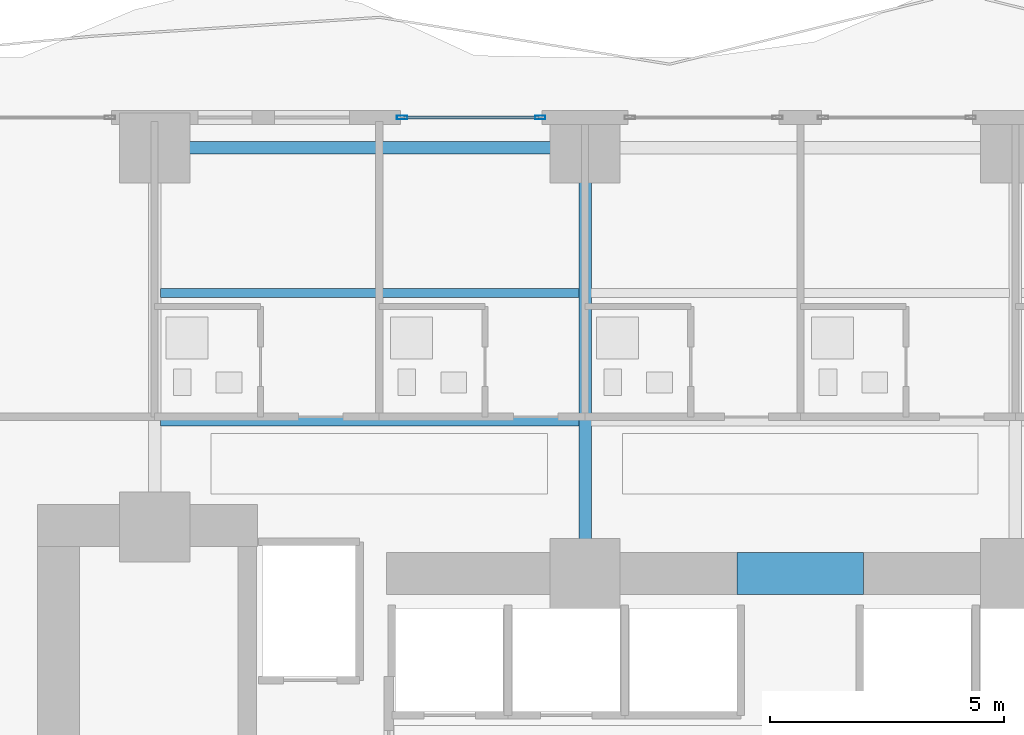
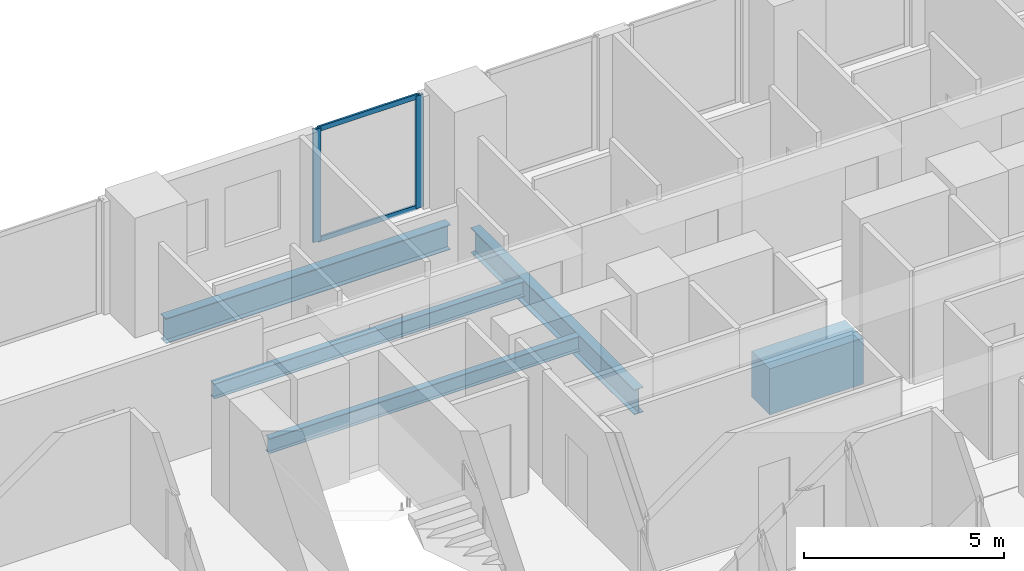
# One storey, part 14 of 29: 5 beams, 4 members, 1 element without a shape of its own.
"""IFC4 building model written with IfcOpenShell, lengths in metres."""

from ifc_helpers import new_model, si_unit, direction, frame, origin, origin_2d, place, context, subcontext, project, spatial, rectangle, hollow_rectangle, i_section, extrude, material, layer, layer_set, material_profile, profile_set, type_object, element, aggregate, save


model = new_model("IFC4")

# Units and contexts
model_context = context("Model", 3, precision=1e-05, world=origin(), true_north=direction((0.0, 1.0)))
body_context = subcontext(model_context, "Body", "Model", "MODEL_VIEW")
ifc_project = project(units=[si_unit("LENGTHUNIT", "METRE"), si_unit("AREAUNIT", "SQUARE_METRE"), si_unit("VOLUMEUNIT", "CUBIC_METRE"), si_unit("PLANEANGLEUNIT", "RADIAN"), si_unit("MASSUNIT", "GRAM", prefix="KILO")], contexts=[model_context])

# Site, building, storey
site_placement = place(None, origin())
site = spatial("IfcSite", under=ifc_project, at=site_placement, CompositionType="ELEMENT")
building_placement = place(site_placement, origin())
building = spatial("IfcBuilding", under=site, at=building_placement, Name="Zuhayl Quay Hotel", CompositionType="ELEMENT")
storey_placement = place(building_placement, frame((0.0, 0.0, 60.449951171875)))
storey = spatial("IfcBuildingStorey", under=building, at=storey_placement, Name="L14", CompositionType="ELEMENT", Elevation=60.449951171875)

# Beams
ifc_material_1 = material(Name="Steel ASTM A992 Grade 50", Category="steel")
ifc_material_profile_1 = material_profile(ifc_material_1, i_section(OverallWidth=0.26708984375, OverallDepth=0.761962890625, WebThickness=0.014404296875, FlangeThickness=0.021484375, at=origin_2d()), Name="W30X116")
ifc_profile_set_1 = profile_set([ifc_material_profile_1], Name="Steel ASTM A992 Grade 50")
beam_type_1 = type_object("IfcBeamType", Name="BM_B1_W30X116", PredefinedType="BEAM", material=ifc_profile_set_1)
beam_1_placement = place(storey_placement, frame((-5.10009765625, 22.449951171875, -0.600830078125), z_axis=(-1.0, 0.0, 0.0), x_axis=(0.0, -1.0, 0.0)))
element("IfcBeam", 1, at=beam_1_placement, inside=storey, type_object=beam_type_1, Name="L14 Floor Beam RG_L14_09", PredefinedType="BEAM", context=body_context, shape_type="SweptSolid", body=[
    extrude(i_section(OverallWidth=0.26708984375, OverallDepth=0.761962890625, WebThickness=0.014404296875, FlangeThickness=0.021484375, at=origin_2d()), origin(), (0.0, 0.0, 1.0), 8.199951171875),
])
beam_2_placement = place(storey_placement, frame((-4.60009765625, 13.800048828125, -0.600830078125), z_axis=(0.0, 1.0, 0.0), x_axis=(-1.0, 0.0, 0.0)))
element("IfcBeam", 2, at=beam_2_placement, inside=storey, type_object=beam_type_1, Name="L14 Floor Beam FG_N_L14_2", PredefinedType="BEAM", context=body_context, shape_type="SweptSolid", body=[
    extrude(i_section(OverallWidth=0.26708984375, OverallDepth=0.761962890625, WebThickness=0.014404296875, FlangeThickness=0.021484375, at=origin_2d()), origin(), (0.0, 0.0, 1.0), 8.14990234375),
])
ifc_material_2 = material(Name="Concrete C60/75", Category="concrete")
ifc_material_profile_2 = material_profile(ifc_material_2, rectangle(XDim=0.89990234375, YDim=1.39990234375, at=origin_2d()), Name="RC900X1400")
ifc_profile_set_2 = profile_set([ifc_material_profile_2], Name="Concrete C60/75")
beam_type_2 = type_object("IfcBeamType", Name="BM_CB1_RC900", PredefinedType="T_BEAM", material=ifc_profile_set_2)
beam_3_placement = place(storey_placement, frame((-1.35009765625, 13.35009765625, -0.919921875), z_axis=(1.0, 0.0, 0.0), x_axis=(0.0, 1.0, 0.0)))
element("IfcBeam", 3, at=beam_3_placement, inside=storey, type_object=beam_type_2, Name="L14 Core Coupling Beam North", PredefinedType="T_BEAM", context=body_context, shape_type="SweptSolid", body=[
    extrude(rectangle(XDim=0.89990234375, YDim=1.39990234375, at=origin_2d()), origin(), (0.0, 0.0, 1.0), 2.7001953125),
])
ifc_material_profile_3 = material_profile(ifc_material_1, i_section(OverallWidth=0.18994140625, OverallDepth=0.45703125, WebThickness=0.009033203125, FlangeThickness=0.014404296875, at=origin_2d()), Name="W18X50")
ifc_profile_set_3 = profile_set([ifc_material_profile_3], Name="Steel ASTM A992 Grade 50")
beam_type_3 = type_object("IfcBeamType", Name="BM_J2_W18X50", PredefinedType="JOIST", material=ifc_profile_set_3)
for number, where, z_axis, x_axis, name in (
    (4, (-13.674560546875, 16.60009765625, -0.448486328125), (1.0, 0.0, 0.0), (0.0, 1.0, 0.0), "L14 Floor Beam FJ_L14_1_1"),
    (5, (-13.674560546875, 19.35009765625, -0.448486328125), (1.0, 0.0, 0.0), (0.0, 1.0, 0.0), "L14 Floor Beam FJ_L14_2_1"),
):
    element("IfcBeam", number, at=place(storey_placement, frame(where, z_axis=z_axis, x_axis=x_axis)), inside=storey, type_object=beam_type_3, Name=name, PredefinedType="JOIST", context=body_context, shape_type="SweptSolid", body=[
        extrude(i_section(OverallWidth=0.18994140625, OverallDepth=0.45703125, WebThickness=0.009033203125, FlangeThickness=0.014404296875, at=origin_2d()), origin(), (0.0, 0.0, 1.0), 8.948974609375),
    ])

# Curtain wall, members
ifc_material_3 = material(Name="Anodised Aluminium 6063-T6", Category="aluminium")
ifc_layer = layer(ifc_material_3, 0.18994140625, Name="Anodised Aluminium 6063-T6", Category="aluminium")
ifc_layer_set = layer_set([ifc_layer], Name="Anodised Aluminium 6063-T6")
curtain_wall_type = type_object("IfcCurtainWallType", Name="CW_SYS_Z1", PredefinedType="USERDEFINED", material=ifc_layer_set)
curtain_wall_placement = place(storey_placement, origin())
curtain_wall = element("IfcCurtainWall", 6, at=curtain_wall_placement, inside=storey, type_object=curtain_wall_type, Name="L14 Curtain Wall ENV_L14_N_CW2", ObjectType="UNITISED CURTAIN WALL", PredefinedType="USERDEFINED")
ifc_material_4 = material(Name="Black-anodised aluminium 6063-T6", Category="aluminium")
ifc_material_profile_4 = material_profile(ifc_material_4, hollow_rectangle(XDim=0.074951171875, YDim=0.219970703125, WallThickness=0.00390625, at=origin_2d()), Name="ALU220X75")
ifc_profile_set_4 = profile_set([ifc_material_profile_4], Name="Black-anodised aluminium 6063-T6")
member_type_1 = type_object("IfcMemberType", Name="MB_CW_MUL_220", PredefinedType="MULLION", material=ifc_profile_set_4)
member_1_placement = place(storey_placement, frame((-8.512451171875, 23.10009765625, 0.0), z_axis=(0.0, 0.0, 1.0), x_axis=(0.0, 1.0, 0.0)))
member_1 = element("IfcMember", 7, at=member_1_placement, type_object=member_type_1, Name="CW-Z1 mullion 1", PredefinedType="MULLION", context=body_context, shape_type="SweptSolid", body=[
    extrude(hollow_rectangle(XDim=0.074951171875, YDim=0.219970703125, WallThickness=0.00390625, at=origin_2d()), origin(), (0.0, 0.0, 1.0), 3.429931640625),
])
member_2_placement = place(storey_placement, frame((-5.5576171875, 23.10009765625, 0.0), z_axis=(0.0, 0.0, 1.0), x_axis=(0.0, 1.0, 0.0)))
member_2 = element("IfcMember", 8, at=member_2_placement, type_object=member_type_1, Name="CW-Z1 mullion 2", PredefinedType="MULLION", context=body_context, shape_type="SweptSolid", body=[
    extrude(hollow_rectangle(XDim=0.074951171875, YDim=0.219970703125, WallThickness=0.00390625, at=origin_2d()), origin(), (0.0, 0.0, 1.0), 3.429931640625),
])
ifc_material_profile_5 = material_profile(ifc_material_4, hollow_rectangle(XDim=0.06005859375, YDim=0.14990234375, WallThickness=0.00341796875, at=origin_2d()), Name="ALU150X60")
ifc_profile_set_5 = profile_set([ifc_material_profile_5], Name="Black-anodised aluminium 6063-T6")
member_type_2 = type_object("IfcMemberType", Name="MB_CW_TRN_150", PredefinedType="USERDEFINED", material=ifc_profile_set_5)
member_3_placement = place(storey_placement, frame((-8.47509765625, 23.10009765625, 0.030029296875), z_axis=(1.0, 0.0, 0.0), x_axis=(0.0, 1.0, 0.0)))
member_3 = element("IfcMember", 9, at=member_3_placement, type_object=member_type_2, Name="CW-Z1 transom 1.1", ObjectType="TRANSOM", PredefinedType="USERDEFINED", context=body_context, shape_type="SweptSolid", body=[
    extrude(hollow_rectangle(XDim=0.06005859375, YDim=0.14990234375, WallThickness=0.00341796875, at=origin_2d()), origin(), (0.0, 0.0, 1.0), 2.880126953125),
])
member_4_placement = place(storey_placement, frame((-8.47509765625, 23.10009765625, 3.400146484375), z_axis=(1.0, 0.0, 0.0), x_axis=(0.0, 1.0, 0.0)))
member_4 = element("IfcMember", 10, at=member_4_placement, type_object=member_type_2, Name="CW-Z1 transom 1.2", ObjectType="TRANSOM", PredefinedType="USERDEFINED", context=body_context, shape_type="SweptSolid", body=[
    extrude(hollow_rectangle(XDim=0.06005859375, YDim=0.14990234375, WallThickness=0.00341796875, at=origin_2d()), origin(), (0.0, 0.0, 1.0), 2.880126953125),
])
aggregate(curtain_wall, [member_1, member_2, member_3, member_4])

save(model, "model.ifc")
